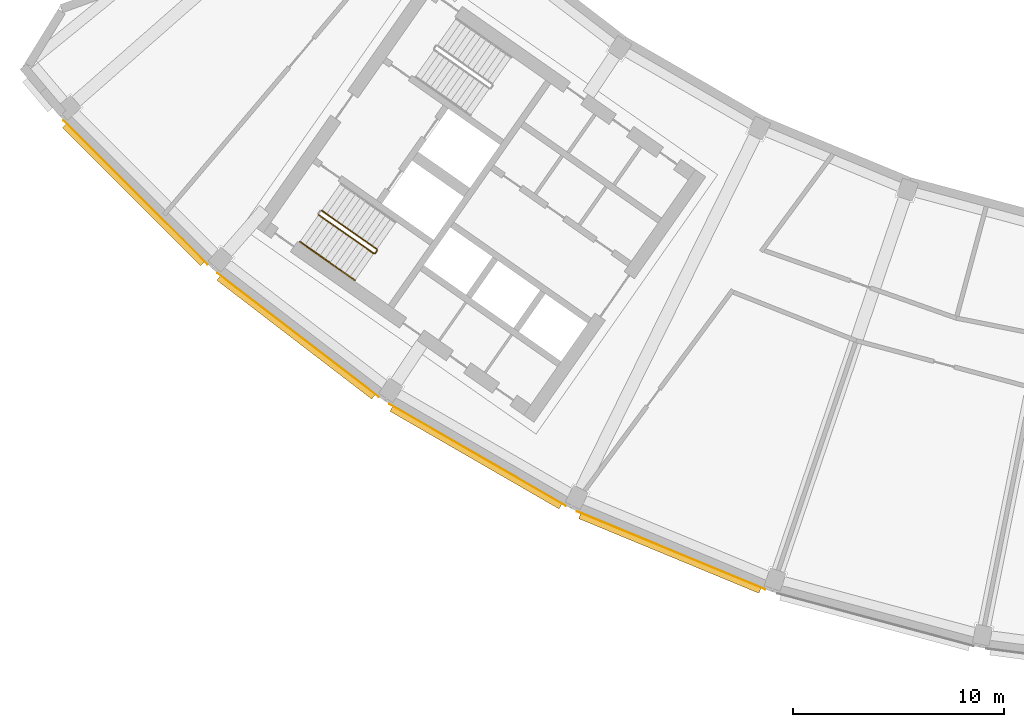
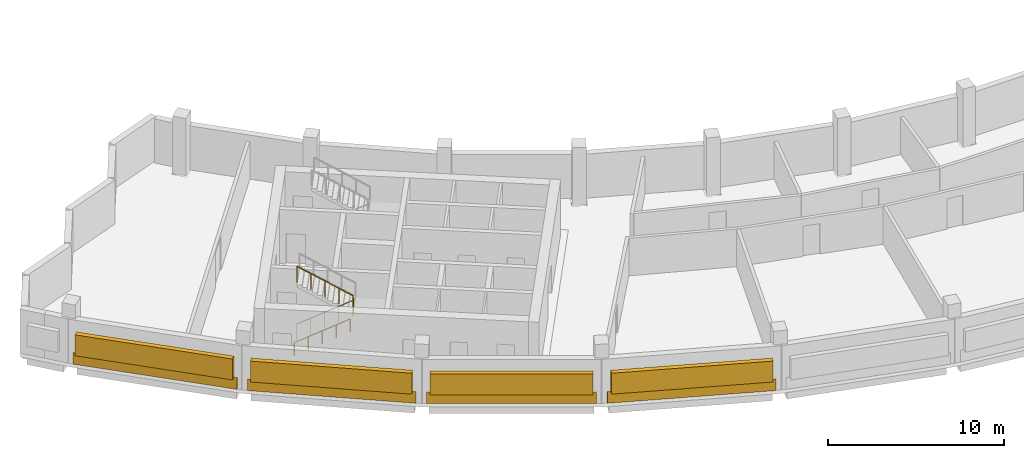
# One storey, part 9 of 12: 4 coverings, 4 shading devices, 3 railings.
"""IFC4 building model written with IfcOpenShell, lengths in metres."""

from ifc_helpers import new_model, si_unit, direction, frame, origin, origin_2d, place, context, subcontext, project, spatial, rectangle, circle, extrude, material, layer, layer_set, type_object, element, save


model = new_model("IFC4")

# Units and contexts
model_context = context("Model", 3, precision=1e-05, world=origin(), true_north=direction((0.0, 1.0)))
body_context = subcontext(model_context, "Body", "Model", "MODEL_VIEW")
ifc_project = project(units=[si_unit("LENGTHUNIT", "METRE"), si_unit("AREAUNIT", "SQUARE_METRE"), si_unit("VOLUMEUNIT", "CUBIC_METRE"), si_unit("PLANEANGLEUNIT", "RADIAN"), si_unit("MASSUNIT", "GRAM", prefix="KILO")], contexts=[model_context])

# Site, building, storey
site_placement = place(None, origin())
site = spatial("IfcSite", under=ifc_project, at=site_placement, CompositionType="ELEMENT")
building_placement = place(site_placement, origin())
building = spatial("IfcBuilding", under=site, at=building_placement, Name="Qamariyya Broadcast Tower", CompositionType="ELEMENT")
storey_placement = place(building_placement, frame((0.0, 0.0, 290.699951171875)))
storey = spatial("IfcBuildingStorey", under=building, at=storey_placement, Name="L70", CompositionType="ELEMENT", Elevation=290.699951171875)

# Railings
ifc_material_1 = material(Name="Painted steel", Category="steel")
railing_type_1 = type_object("IfcRailingType", Name="Stair guard", PredefinedType="GUARDRAIL", material=ifc_material_1)
railing_1_placement = place(storey_placement, frame((-46.624267578125, -56.34765625, 0.166748046875)))
element("IfcRailing", 1, at=railing_1_placement, inside=storey, type_object=railing_type_1, Name="L70 ST-W1 stair guard 1", PredefinedType="GUARDRAIL", context=body_context, shape_type="SweptSolid", body=[
    extrude(circle(Radius=0.02392578125, at=origin_2d()), frame((0.0, 0.0, 1.076171875), z_axis=(0.710204256923, -0.497335411159, 0.498264389913), x_axis=(0.573611290809, 0.819127637829, 0.0)), (0.0, 0.0, 1.0), 3.67919921875),
    extrude(circle(Radius=0.02392578125, at=origin_2d()), frame((2.613037109375, -1.829833984375, 2.9091796875), z_axis=(0.984957024646, 0.172799478008, 0.0), x_axis=(-0.172799478008, 0.984957024646, 0.0)), (0.0, 0.0, 1.0), 0.070556640625),
    extrude(circle(Radius=0.02392578125, at=origin_2d()), frame((2.6826171875, -1.817626953125, 2.9091796875), z_axis=(0.57368046593, 0.819079192149, 0.0), x_axis=(-0.819079192149, 0.57368046593, 0.0)), (0.0, 0.0, 1.0), 0.150146484375),
    extrude(circle(Radius=0.02099609375, at=origin_2d()), origin(), (0.0, 0.0, 1.0), 1.052001953125),
    extrude(circle(Radius=0.02099609375, at=origin_2d()), frame((0.6533203125, -0.45751953125, 0.458251953125)), (0.0, 0.0, 1.0), 1.052001953125),
    extrude(circle(Radius=0.02099609375, at=origin_2d()), frame((1.306640625, -0.9150390625, 0.91650390625)), (0.0, 0.0, 1.0), 1.052001953125),
    extrude(circle(Radius=0.02099609375, at=origin_2d()), frame((1.959716796875, -1.372314453125, 1.375)), (0.0, 0.0, 1.0), 1.052001953125),
    extrude(circle(Radius=0.02099609375, at=origin_2d()), frame((2.613037109375, -1.829833984375, 1.833251953125)), (0.0, 0.0, 1.0), 1.052001953125),
    extrude(circle(Radius=0.02099609375, at=origin_2d()), frame((2.6826171875, -1.817626953125, 1.833251953125)), (0.0, 0.0, 1.0), 1.052001953125),
    extrude(circle(Radius=0.02099609375, at=origin_2d()), frame((2.768798828125, -1.694580078125, 1.833251953125)), (0.0, 0.0, 1.0), 1.052001953125),
])
railing_2_placement = place(storey_placement, frame((-43.867919921875, -57.97265625, 2.166748046875)))
element("IfcRailing", 2, at=railing_2_placement, inside=storey, type_object=railing_type_1, Name="L70 ST-W1 stair guard 2", PredefinedType="GUARDRAIL", context=body_context, shape_type="SweptSolid", body=[
    extrude(circle(Radius=0.02392578125, at=origin_2d()), frame((0.0, 0.0, 1.076171875), z_axis=(-0.710227693972, 0.497285465629, 0.498280832854), x_axis=(-0.573559936391, -0.819163597438, 0.0)), (0.0, 0.0, 1.0), 3.67919921875),
    extrude(circle(Radius=0.02099609375, at=origin_2d()), origin(), (0.0, 0.0, 1.0), 1.052001953125),
    extrude(circle(Radius=0.02099609375, at=origin_2d()), frame((-0.6533203125, 0.45751953125, 0.458251953125)), (0.0, 0.0, 1.0), 1.052001953125),
    extrude(circle(Radius=0.02099609375, at=origin_2d()), frame((-1.306640625, 0.914794921875, 0.91650390625)), (0.0, 0.0, 1.0), 1.052001953125),
    extrude(circle(Radius=0.02099609375, at=origin_2d()), frame((-1.959716796875, 1.3720703125, 1.375)), (0.0, 0.0, 1.0), 1.052001953125),
    extrude(circle(Radius=0.02099609375, at=origin_2d()), frame((-2.613037109375, 1.82958984375, 1.833251953125)), (0.0, 0.0, 1.0), 1.052001953125),
])
ifc_material_2 = material(Name="Stainless steel", Category="steel")
railing_type_2 = type_object("IfcRailingType", Name="Stair handrail", PredefinedType="HANDRAIL", material=ifc_material_2)
railing_3_placement = place(storey_placement, frame((-47.513427734375, -57.617431640625, 0.166748046875)))
element("IfcRailing", 3, at=railing_3_placement, inside=storey, type_object=railing_type_2, Name="L70 ST-W1 stair handrail 1", PredefinedType="HANDRAIL", context=body_context, shape_type="SweptSolid", body=[
    extrude(circle(Radius=0.02392578125, at=origin_2d()), frame((0.0, 0.0, 0.8759765625), z_axis=(0.710204256923, -0.497335411159, 0.498264389913), x_axis=(0.573611290809, 0.819127637829, 0.0)), (0.0, 0.0, 1.0), 3.67919921875),
    extrude(circle(Radius=0.02099609375, at=origin_2d()), origin(), (0.0, 0.0, 1.0), 0.851806640625),
    extrude(circle(Radius=0.02099609375, at=origin_2d()), frame((0.6533203125, -0.45751953125, 0.458251953125)), (0.0, 0.0, 1.0), 0.851806640625),
    extrude(circle(Radius=0.02099609375, at=origin_2d()), frame((1.306640625, -0.9150390625, 0.91650390625)), (0.0, 0.0, 1.0), 0.851806640625),
    extrude(circle(Radius=0.02099609375, at=origin_2d()), frame((1.959716796875, -1.372314453125, 1.375)), (0.0, 0.0, 1.0), 0.851806640625),
    extrude(circle(Radius=0.02099609375, at=origin_2d()), frame((2.613037109375, -1.829833984375, 1.833251953125)), (0.0, 0.0, 1.0), 0.851806640625),
])

# Coverings
ifc_material_3 = material(Name="Glazed terracotta", Category="masonry")
ifc_layer = layer(ifc_material_3, 0.030029296875)
ifc_layer_set = layer_set([ifc_layer], Name="Terracotta cladding panel 30, crown band")
covering_type = type_object("IfcCoveringType", Name="Terracotta cladding panel 30, crown band", PredefinedType="CLADDING", material=ifc_layer_set)
for number, where, z_axis, x_axis, name in (
    (4, (-55.293701171875, -55.293701171875, 0.0), (0.0, 0.0, 1.0), (0.707106781187, -0.707106781187, 0.0), "e-cl-L70-01"),
    (5, (-47.603515625, -62.0380859375, 0.0), (0.0, 0.0, 1.0), (0.793353340291, -0.608761429009, 0.0), "e-cl-L70-02"),
    (6, (-39.0986328125, -67.720703125, 0.0), (0.0, 0.0, 1.0), (0.866025403784, -0.5, 0.0), "e-cl-L70-03"),
    (7, (-29.9248046875, -72.244873046875, 0.0), (0.0, 0.0, 1.0), (0.923879532511, -0.382683432365, 0.0), "e-cl-L70-04"),
):
    element("IfcCovering", number, at=place(storey_placement, frame(where, z_axis=z_axis, x_axis=x_axis)), inside=storey, type_object=covering_type, Name=name, PredefinedType="CLADDING", context=body_context, shape_type="SweptSolid", body=[
        extrude(rectangle(XDim=9.648681640625, YDim=0.030029296875, at=origin_2d()), origin(), (0.0, 0.0, 1.0), 0.800048828125),
    ])

# Shading devices
shading_device_type = type_object("IfcShadingDeviceType", Name="Terracotta louvre bank", PredefinedType="USERDEFINED", material=ifc_material_3)
for number, where, z_axis, x_axis, name in (
    (8, (-55.38916015625, -55.38916015625, 0.80029296875), (0.0, 0.0, 1.0), (0.707106781187, -0.707106781187, 0.0), "e-lv-L70-01"),
    (9, (-47.685546875, -62.145263671875, 0.80029296875), (0.0, 0.0, 1.0), (0.793353340291, -0.608761429009, 0.0), "e-lv-L70-02"),
    (10, (-39.166015625, -67.837646484375, 0.80029296875), (0.0, 0.0, 1.0), (0.866025403784, -0.5, 0.0), "e-lv-L70-03"),
    (11, (-29.9765625, -72.36962890625, 0.80029296875), (0.0, 0.0, 1.0), (0.923879532511, -0.382683432365, 0.0), "e-lv-L70-04"),
):
    element("IfcShadingDevice", number, at=place(storey_placement, frame(where, z_axis=z_axis, x_axis=x_axis)), inside=storey, type_object=shading_device_type, Name=name, ObjectType="LOUVRE", PredefinedType="USERDEFINED", context=body_context, shape_type="SweptSolid", body=[
        extrude(rectangle(XDim=9.248779296875, YDim=0.300048828125, at=origin_2d()), origin(), (0.0, 0.0, 1.0), 1.449951171875),
    ])

save(model, "model.ifc")
